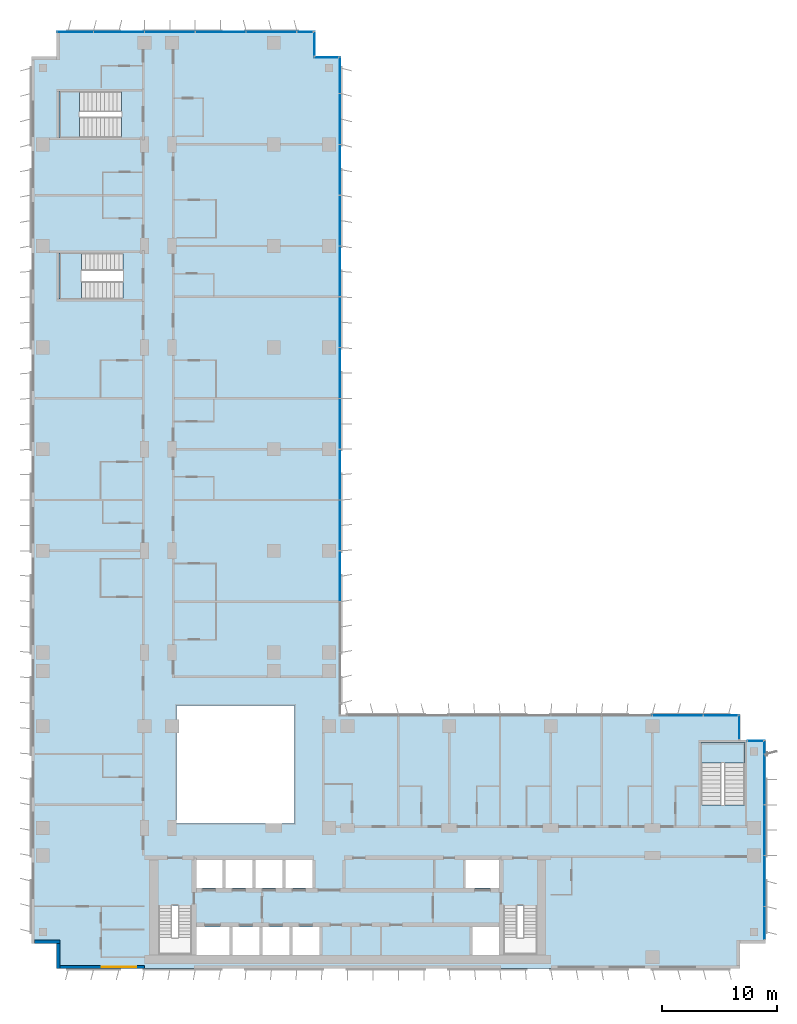
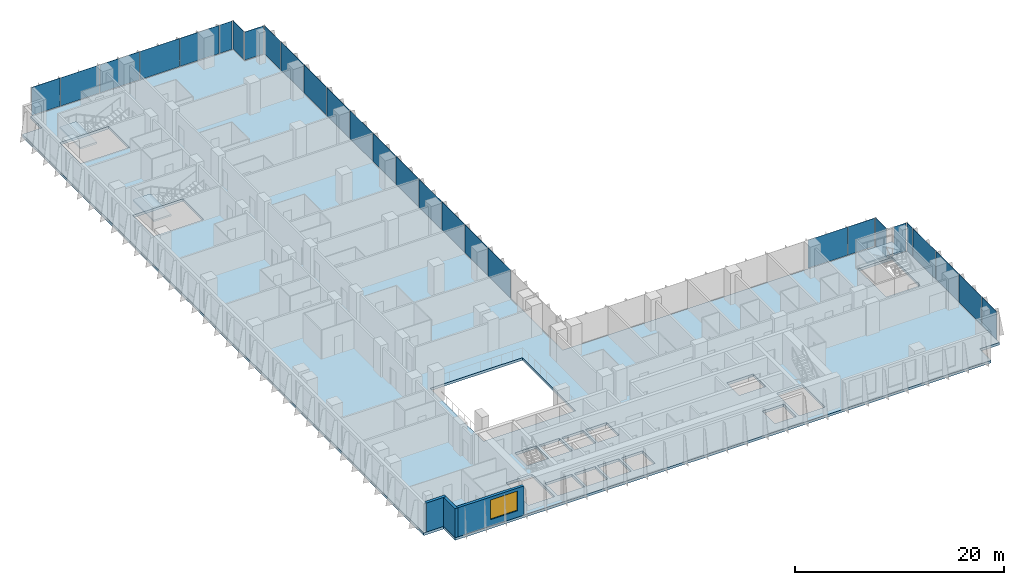
# One storey, part 11 of 22: 28 plates, 4 slabs, 3 walls, 1 window, 1 opening, 11 elements without a shape of their own.
"""IFC4 building model written with IfcOpenShell, lengths in metres."""

from ifc_helpers import new_model, si_unit, direction, frame, frame_2d, origin, origin_2d, place, context, subcontext, project, spatial, polyline, rectangle, outline, extrude, source, transform, mapped, material, layer, layer_set, type_object, element, fill, aggregate, save


model = new_model("IFC4")

# Units and contexts
model_context = context("Model", 3, precision=1e-05, world=origin(), true_north=direction((0.0, 1.0)))
body_context = subcontext(model_context, "Body", "Model", "MODEL_VIEW")
ifc_project = project(units=[si_unit("LENGTHUNIT", "METRE"), si_unit("AREAUNIT", "SQUARE_METRE"), si_unit("VOLUMEUNIT", "CUBIC_METRE"), si_unit("PLANEANGLEUNIT", "RADIAN"), si_unit("MASSUNIT", "GRAM", prefix="KILO")], contexts=[model_context])

# Site, building, storey
site_placement = place(None, origin())
site = spatial("IfcSite", under=ifc_project, at=site_placement, CompositionType="ELEMENT")
building_placement = place(site_placement, origin())
building = spatial("IfcBuilding", under=site, at=building_placement, Name="Kemantara Hotel Tower", CompositionType="ELEMENT")
storey_placement = place(building_placement, frame((0.0, 0.0, 111.10009765625)))
storey = spatial("IfcBuildingStorey", under=building, at=storey_placement, Name="L26", CompositionType="ELEMENT", Elevation=111.10009765625)

# Slab
ifc_material_1 = material(Name="Concrete fc 40 MPa", Category="concrete")
ifc_layer_1 = layer(ifc_material_1, 0.300048828125)
ifc_layer_set_1 = layer_set([ifc_layer_1], Name="Concrete fc 40 MPa")
slab_type_1 = type_object("IfcSlabType", Name="POST-TENSIONED FLAT PLATE 300", PredefinedType="FLOOR", material=ifc_layer_set_1)
slab_1_placement = place(storey_placement, frame((0.0, 0.0, -0.300048828125)))
element("IfcSlab", 1, at=slab_1_placement, inside=storey, type_object=slab_type_1, Name="FLOOR SLAB L26", PredefinedType="FLOOR", context=body_context, shape_type="SweptSolid", body=[
    extrude(outline(polyline([(26.800048828125, 79.0), (24.60009765625, 79.0), (24.60009765625, 81.199951171875), (2.199951171875, 81.199951171875), (2.199951171875, 79.0), (0.0, 79.0), (0.0, 2.199951171875), (2.199951171875, 2.199951171875), (2.199951171875, 0.0), (61.39990234375, 0.0), (61.39990234375, 2.199951171875), (63.60009765625, 2.199951171875), (63.60009765625, 19.800048828125), (61.39990234375, 19.800048828125), (61.39990234375, 22.0), (26.800048828125, 22.0), (26.800048828125, 79.0)]), holes=[polyline([(17.175048828125, 1.199951171875), (14.22509765625, 1.199951171875), (14.22509765625, 3.60009765625), (17.175048828125, 3.60009765625), (17.175048828125, 1.199951171875)]), polyline([(19.77490234375, 1.199951171875), (17.425048828125, 1.199951171875), (17.425048828125, 3.60009765625), (19.77490234375, 3.60009765625), (19.77490234375, 1.199951171875)]), polyline([(11.0, 1.199951171875), (11.0, 5.49951171875), (13.89990234375, 5.49951171875), (13.89990234375, 1.199951171875), (11.0, 1.199951171875)]), polyline([(16.574951171875, 7.0), (14.22509765625, 7.0), (14.22509765625, 9.39990234375), (16.574951171875, 9.39990234375), (16.574951171875, 7.0)]), polyline([(19.175048828125, 7.0), (16.824951171875, 7.0), (16.824951171875, 9.39990234375), (19.175048828125, 9.39990234375), (19.175048828125, 7.0)]), polyline([(22.800048828125, 12.60009765625), (12.60009765625, 12.60009765625), (12.60009765625, 22.800048828125), (22.800048828125, 22.800048828125), (22.800048828125, 12.60009765625)]), polyline([(2.39990234375, 62.0), (7.949462890625, 62.0), (7.949462890625, 58.0), (2.39990234375, 58.0), (2.39990234375, 62.0)]), polyline([(2.39990234375, 76.0), (7.79931640625, 76.0), (7.79931640625, 72.0), (2.39990234375, 72.0), (2.39990234375, 76.0)]), polyline([(22.375, 1.199951171875), (20.02490234375, 1.199951171875), (20.02490234375, 3.60009765625), (22.375, 3.60009765625), (22.375, 1.199951171875)]), polyline([(24.97509765625, 1.199951171875), (22.625, 1.199951171875), (22.625, 3.60009765625), (24.97509765625, 3.60009765625), (24.97509765625, 1.199951171875)]), polyline([(40.574951171875, 1.199951171875), (38.22509765625, 1.199951171875), (38.22509765625, 3.60009765625), (40.574951171875, 3.60009765625), (40.574951171875, 1.199951171875)]), polyline([(40.89990234375, 1.199951171875), (40.89990234375, 5.49951171875), (43.800048828125, 5.49951171875), (43.800048828125, 1.199951171875), (40.89990234375, 1.199951171875)]), polyline([(21.77490234375, 7.0), (19.425048828125, 7.0), (19.425048828125, 9.39990234375), (21.77490234375, 9.39990234375), (21.77490234375, 7.0)]), polyline([(24.375, 7.0), (22.02490234375, 7.0), (22.02490234375, 9.39990234375), (24.375, 9.39990234375), (24.375, 7.0)]), polyline([(40.574951171875, 7.0), (37.625, 7.0), (37.625, 9.39990234375), (40.574951171875, 9.39990234375), (40.574951171875, 7.0)]), polyline([(61.800048828125, 19.60009765625), (61.800048828125, 14.20068359375), (58.0, 14.20068359375), (58.0, 19.60009765625), (61.800048828125, 19.60009765625)])]), origin(), (0.0, 0.0, 1.0), 0.300048828125),
])

# Stair, slab
stair_type_1 = type_object("IfcStairType", Name="Stair 1800 wide 22 risers of 168 x 360 mm", PredefinedType="HALF_TURN_STAIR", material=ifc_material_1)
stair_1_placement = place(storey_placement, origin())
stair_1 = element("IfcStair", 2, at=stair_1_placement, inside=storey, type_object=stair_type_1, Name="L26 Exit stair ST3", PredefinedType="HALF_TURN_STAIR")
ifc_layer_2 = layer(ifc_material_1, 0.199951171875)
ifc_layer_set_2 = layer_set([ifc_layer_2], Name="Concrete fc 40 MPa")
slab_type_2 = type_object("IfcSlabType", Name="Stair landing 200 mm", PredefinedType="LANDING", material=ifc_layer_set_2)
slab_2_placement = place(storey_placement, frame((0.0, 0.0, 1.64990234375)))
slab_2 = element("IfcSlab", 3, at=slab_2_placement, type_object=slab_type_2, Name="ST3 landing 1", PredefinedType="LANDING", context=body_context, shape_type="SweptSolid", body=[
    extrude(outline(polyline([(61.800048828125, 17.800048828125), (61.800048828125, 19.60009765625), (58.0, 19.60009765625), (58.0, 17.800048828125), (61.800048828125, 17.800048828125)])), origin(), (0.0, 0.0, 1.0), 0.199951171875),
])
aggregate(stair_1, [slab_2])

stair_type_2 = type_object("IfcStairType", Name="Stair 1550 wide 22 risers of 168 x 360 mm", PredefinedType="HALF_TURN_STAIR", material=ifc_material_1)
stair_2_placement = place(storey_placement, origin())
stair_2 = element("IfcStair", 4, at=stair_2_placement, inside=storey, type_object=stair_type_2, Name="L26 Exit stair ST4", PredefinedType="HALF_TURN_STAIR")
slab_3_placement = place(storey_placement, frame((0.0, 0.0, 1.64990234375)))
slab_3 = element("IfcSlab", 5, at=slab_3_placement, type_object=slab_type_2, Name="ST4 landing 1", PredefinedType="LANDING", context=body_context, shape_type="SweptSolid", body=[
    extrude(outline(polyline([(4.35009765625, 62.0), (2.39990234375, 62.0), (2.39990234375, 58.0), (4.35009765625, 58.0), (4.35009765625, 62.0)])), origin(), (0.0, 0.0, 1.0), 0.199951171875),
])
aggregate(stair_2, [slab_3])

stair_3_placement = place(storey_placement, origin())
stair_3 = element("IfcStair", 6, at=stair_3_placement, inside=storey, type_object=stair_type_1, Name="L26 Exit stair ST6", PredefinedType="HALF_TURN_STAIR")
slab_4_placement = place(storey_placement, frame((0.0, 0.0, 1.64990234375)))
slab_4 = element("IfcSlab", 7, at=slab_4_placement, type_object=slab_type_2, Name="ST6 landing 1", PredefinedType="LANDING", context=body_context, shape_type="SweptSolid", body=[
    extrude(outline(polyline([(4.199951171875, 76.0), (2.39990234375, 76.0), (2.39990234375, 72.0), (4.199951171875, 72.0), (4.199951171875, 76.0)])), origin(), (0.0, 0.0, 1.0), 0.199951171875),
])
aggregate(stair_3, [slab_4])

# Curtain wall, plate
ifc_material_2 = material(Name="Low-E tinted double insulated glass 36 mm", Category="glass")
curtain_wall_type = type_object("IfcCurtainWallType", Name="TOWER CURTAIN WALL, FRONT FACES", PredefinedType="USERDEFINED", material=ifc_material_2)
curtain_wall_1_placement = place(storey_placement, origin())
curtain_wall_1 = element("IfcCurtainWall", 8, at=curtain_wall_1_placement, inside=storey, type_object=curtain_wall_type, Name="CW4 L26 T2-R10-1", ObjectType="TOWER CURTAIN WALL, FRONT FACES", PredefinedType="USERDEFINED")
ifc_layer_3 = layer(ifc_material_2, 0.035888671875)
ifc_layer_set_3 = layer_set([ifc_layer_3], Name="Low-E tinted double insulated glass 36 mm")
plate_type = type_object("IfcPlateType", Name="TOWER CURTAIN WALL, FRONT FACES PANEL", PredefinedType="CURTAIN_PANEL", material=ifc_layer_set_3)
shared_shape_1 = source(origin(), body_context, "Body", "SweptSolid", [
    extrude(rectangle(XDim=2.81005859375, YDim=0.035888671875, at=origin_2d()), origin(), (0.0, 0.0, 1.0), 3.280029296875),
])
plate_1_placement = place(storey_placement, frame((63.52490234375, 3.965087890625, 0.1201171875), z_axis=(0.0, 0.0, 1.0), x_axis=(0.0, 1.0, 0.0)))
plate_1 = element("IfcPlate", 9, at=plate_1_placement, type_object=plate_type, Name="CW4 glass panel T2-R10-1.1", PredefinedType="CURTAIN_PANEL", context=body_context, shape_type="MappedRepresentation", body=[
    mapped(shared_shape_1, transform((0.0, 0.0, 0.0))),
])

# Curtain wall, plates
curtain_wall_2_placement = place(storey_placement, origin())
curtain_wall_2 = element("IfcCurtainWall", 10, at=curtain_wall_2_placement, inside=storey, type_object=curtain_wall_type, Name="CW4 L26 T2-R01-1", ObjectType="TOWER CURTAIN WALL, FRONT FACES", PredefinedType="USERDEFINED")
shared_shape_2 = source(origin(), body_context, "Body", "SweptSolid", [
    extrude(rectangle(XDim=4.340087890625, YDim=0.035888671875, at=origin_2d()), origin(), (0.0, 0.0, 1.0), 3.280029296875),
])
plate_2_placement = place(storey_placement, frame((20.800048828125, 81.125, 0.1201171875), z_axis=(0.0, 0.0, 1.0), x_axis=(-1.0, 0.0, 0.0)))
plate_2 = element("IfcPlate", 11, at=plate_2_placement, type_object=plate_type, Name="CW4 glass panel T2-R01-1.2", PredefinedType="CURTAIN_PANEL", context=body_context, shape_type="MappedRepresentation", body=[
    mapped(shared_shape_2, transform((0.0, 0.0, 0.0))),
])
plate_3_placement = place(storey_placement, frame((16.39990234375, 81.125, 0.1201171875), z_axis=(0.0, 0.0, 1.0), x_axis=(-1.0, 0.0, 0.0)))
plate_3 = element("IfcPlate", 12, at=plate_3_placement, type_object=plate_type, Name="CW4 glass panel T2-R01-1.3", PredefinedType="CURTAIN_PANEL", context=body_context, shape_type="MappedRepresentation", body=[
    mapped(shared_shape_2, transform((0.0, 0.0, 0.0))),
])
plate_4_placement = place(storey_placement, frame((12.0, 81.125, 0.1201171875), z_axis=(0.0, 0.0, 1.0), x_axis=(-1.0, 0.0, 0.0)))
plate_4 = element("IfcPlate", 13, at=plate_4_placement, type_object=plate_type, Name="CW4 glass panel T2-R01-1.4", PredefinedType="CURTAIN_PANEL", context=body_context, shape_type="MappedRepresentation", body=[
    mapped(shared_shape_2, transform((0.0, 0.0, 0.0))),
])
plate_5_placement = place(storey_placement, frame((7.60009765625, 81.125, 0.1201171875), z_axis=(0.0, 0.0, 1.0), x_axis=(-1.0, 0.0, 0.0)))
plate_5 = element("IfcPlate", 14, at=plate_5_placement, type_object=plate_type, Name="CW4 glass panel T2-R01-1.5", PredefinedType="CURTAIN_PANEL", context=body_context, shape_type="MappedRepresentation", body=[
    mapped(shared_shape_2, transform((0.0, 0.0, 0.0))),
])

# Plate
plate_6_placement = place(storey_placement, frame((63.52490234375, 7.60009765625, 0.1201171875), z_axis=(0.0, 0.0, 1.0), x_axis=(0.0, 1.0, 0.0)))
plate_6 = element("IfcPlate", 15, at=plate_6_placement, type_object=plate_type, Name="CW4 glass panel T2-R10-1.2", PredefinedType="CURTAIN_PANEL", context=body_context, shape_type="MappedRepresentation", body=[
    mapped(shared_shape_2, transform((0.0, 0.0, 0.0))),
])

plate_7_placement = place(storey_placement, frame((63.52490234375, 12.0, 0.1201171875), z_axis=(0.0, 0.0, 1.0), x_axis=(0.0, 1.0, 0.0)))
plate_7 = element("IfcPlate", 16, at=plate_7_placement, type_object=plate_type, Name="CW4 glass panel T2-R10-1.3", PredefinedType="CURTAIN_PANEL", context=body_context, shape_type="MappedRepresentation", body=[
    mapped(shared_shape_2, transform((0.0, 0.0, 0.0))),
])

plate_8_placement = place(storey_placement, frame((63.52490234375, 16.39990234375, 0.1201171875), z_axis=(0.0, 0.0, 1.0), x_axis=(0.0, 1.0, 0.0)))
plate_8 = element("IfcPlate", 17, at=plate_8_placement, type_object=plate_type, Name="CW4 glass panel T2-R10-1.4", PredefinedType="CURTAIN_PANEL", context=body_context, shape_type="MappedRepresentation", body=[
    mapped(shared_shape_2, transform((0.0, 0.0, 0.0))),
])

# Curtain wall, plate
curtain_wall_3_placement = place(storey_placement, origin())
curtain_wall_3 = element("IfcCurtainWall", 18, at=curtain_wall_3_placement, inside=storey, type_object=curtain_wall_type, Name="CW4 L26 T2-R13-1", ObjectType="TOWER CURTAIN WALL, FRONT FACES", PredefinedType="USERDEFINED")
plate_9_placement = place(storey_placement, frame((56.0, 21.925048828125, 0.1201171875), z_axis=(0.0, 0.0, 1.0), x_axis=(-1.0, 0.0, 0.0)))
plate_9 = element("IfcPlate", 19, at=plate_9_placement, type_object=plate_type, Name="CW4 glass panel T2-R13-1.2", PredefinedType="CURTAIN_PANEL", context=body_context, shape_type="MappedRepresentation", body=[
    mapped(shared_shape_2, transform((0.0, 0.0, 0.0))),
])

# Curtain wall, plates
curtain_wall_4_placement = place(storey_placement, origin())
curtain_wall_4 = element("IfcCurtainWall", 20, at=curtain_wall_4_placement, inside=storey, type_object=curtain_wall_type, Name="CW4 L26 T2-R14-1", ObjectType="TOWER CURTAIN WALL, FRONT FACES", PredefinedType="USERDEFINED")
plate_10_placement = place(storey_placement, frame((26.72509765625, 34.0, 0.1201171875), z_axis=(0.0, 0.0, 1.0), x_axis=(0.0, 1.0, 0.0)))
plate_10 = element("IfcPlate", 21, at=plate_10_placement, type_object=plate_type, Name="CW4 glass panel T2-R14-1.4", PredefinedType="CURTAIN_PANEL", context=body_context, shape_type="MappedRepresentation", body=[
    mapped(shared_shape_2, transform((0.0, 0.0, 0.0))),
])
plate_11_placement = place(storey_placement, frame((26.72509765625, 38.39990234375, 0.1201171875), z_axis=(0.0, 0.0, 1.0), x_axis=(0.0, 1.0, 0.0)))
plate_11 = element("IfcPlate", 22, at=plate_11_placement, type_object=plate_type, Name="CW4 glass panel T2-R14-1.5", PredefinedType="CURTAIN_PANEL", context=body_context, shape_type="MappedRepresentation", body=[
    mapped(shared_shape_2, transform((0.0, 0.0, 0.0))),
])
plate_12_placement = place(storey_placement, frame((26.72509765625, 42.800048828125, 0.1201171875), z_axis=(0.0, 0.0, 1.0), x_axis=(0.0, 1.0, 0.0)))
plate_12 = element("IfcPlate", 23, at=plate_12_placement, type_object=plate_type, Name="CW4 glass panel T2-R14-1.6", PredefinedType="CURTAIN_PANEL", context=body_context, shape_type="MappedRepresentation", body=[
    mapped(shared_shape_2, transform((0.0, 0.0, 0.0))),
])
plate_13_placement = place(storey_placement, frame((26.72509765625, 47.199951171875, 0.1201171875), z_axis=(0.0, 0.0, 1.0), x_axis=(0.0, 1.0, 0.0)))
plate_13 = element("IfcPlate", 24, at=plate_13_placement, type_object=plate_type, Name="CW4 glass panel T2-R14-1.7", PredefinedType="CURTAIN_PANEL", context=body_context, shape_type="MappedRepresentation", body=[
    mapped(shared_shape_2, transform((0.0, 0.0, 0.0))),
])
plate_14_placement = place(storey_placement, frame((26.72509765625, 51.60009765625, 0.1201171875), z_axis=(0.0, 0.0, 1.0), x_axis=(0.0, 1.0, 0.0)))
plate_14 = element("IfcPlate", 25, at=plate_14_placement, type_object=plate_type, Name="CW4 glass panel T2-R14-1.8", PredefinedType="CURTAIN_PANEL", context=body_context, shape_type="MappedRepresentation", body=[
    mapped(shared_shape_2, transform((0.0, 0.0, 0.0))),
])
plate_15_placement = place(storey_placement, frame((26.72509765625, 56.0, 0.1201171875), z_axis=(0.0, 0.0, 1.0), x_axis=(0.0, 1.0, 0.0)))
plate_15 = element("IfcPlate", 26, at=plate_15_placement, type_object=plate_type, Name="CW4 glass panel T2-R14-1.9", PredefinedType="CURTAIN_PANEL", context=body_context, shape_type="MappedRepresentation", body=[
    mapped(shared_shape_2, transform((0.0, 0.0, 0.0))),
])
plate_16_placement = place(storey_placement, frame((26.72509765625, 60.39990234375, 0.1201171875), z_axis=(0.0, 0.0, 1.0), x_axis=(0.0, 1.0, 0.0)))
plate_16 = element("IfcPlate", 27, at=plate_16_placement, type_object=plate_type, Name="CW4 glass panel T2-R14-1.10", PredefinedType="CURTAIN_PANEL", context=body_context, shape_type="MappedRepresentation", body=[
    mapped(shared_shape_2, transform((0.0, 0.0, 0.0))),
])
plate_17_placement = place(storey_placement, frame((26.72509765625, 64.800048828125, 0.1201171875), z_axis=(0.0, 0.0, 1.0), x_axis=(0.0, 1.0, 0.0)))
plate_17 = element("IfcPlate", 28, at=plate_17_placement, type_object=plate_type, Name="CW4 glass panel T2-R14-1.11", PredefinedType="CURTAIN_PANEL", context=body_context, shape_type="MappedRepresentation", body=[
    mapped(shared_shape_2, transform((0.0, 0.0, 0.0))),
])
plate_18_placement = place(storey_placement, frame((26.72509765625, 69.199951171875, 0.1201171875), z_axis=(0.0, 0.0, 1.0), x_axis=(0.0, 1.0, 0.0)))
plate_18 = element("IfcPlate", 29, at=plate_18_placement, type_object=plate_type, Name="CW4 glass panel T2-R14-1.12", PredefinedType="CURTAIN_PANEL", context=body_context, shape_type="MappedRepresentation", body=[
    mapped(shared_shape_2, transform((0.0, 0.0, 0.0))),
])
plate_19_placement = place(storey_placement, frame((26.72509765625, 73.60009765625, 0.1201171875), z_axis=(0.0, 0.0, 1.0), x_axis=(0.0, 1.0, 0.0)))
plate_19 = element("IfcPlate", 30, at=plate_19_placement, type_object=plate_type, Name="CW4 glass panel T2-R14-1.13", PredefinedType="CURTAIN_PANEL", context=body_context, shape_type="MappedRepresentation", body=[
    mapped(shared_shape_2, transform((0.0, 0.0, 0.0))),
])

# Plate
shared_shape_3 = source(origin(), body_context, "Body", "SweptSolid", [
    extrude(rectangle(XDim=1.360107421875, YDim=0.035888671875, at=origin_2d()), origin(), (0.0, 0.0, 1.0), 3.280029296875),
])
plate_20_placement = place(storey_placement, frame((23.7099609375, 81.125, 0.1201171875), z_axis=(0.0, 0.0, 1.0), x_axis=(-1.0, 0.0, 0.0)))
plate_20 = element("IfcPlate", 31, at=plate_20_placement, type_object=plate_type, Name="CW4 glass panel T2-R01-1.1", PredefinedType="CURTAIN_PANEL", context=body_context, shape_type="MappedRepresentation", body=[
    mapped(shared_shape_3, transform((0.0, 0.0, 0.0))),
])

shared_shape_4 = source(origin(), body_context, "Body", "SweptSolid", [
    extrude(rectangle(XDim=3.110107421875, YDim=0.035888671875, at=origin_2d()), origin(), (0.0, 0.0, 1.0), 3.280029296875),
])
plate_21_placement = place(storey_placement, frame((3.81494140625, 81.125, 0.1201171875), z_axis=(0.0, 0.0, 1.0), x_axis=(-1.0, 0.0, 0.0)))
plate_21 = element("IfcPlate", 32, at=plate_21_placement, type_object=plate_type, Name="CW4 glass panel T2-R01-1.6", PredefinedType="CURTAIN_PANEL", context=body_context, shape_type="MappedRepresentation", body=[
    mapped(shared_shape_4, transform((0.0, 0.0, 0.0))),
])

aggregate(curtain_wall_2, [plate_20, plate_2, plate_3, plate_4, plate_5, plate_21])

plate_22_placement = place(storey_placement, frame((26.72509765625, 77.385009765625, 0.1201171875), z_axis=(0.0, 0.0, 1.0), x_axis=(0.0, 1.0, 0.0)))
plate_22 = element("IfcPlate", 33, at=plate_22_placement, type_object=plate_type, Name="CW4 glass panel T2-R14-1.14", PredefinedType="CURTAIN_PANEL", context=body_context, shape_type="MappedRepresentation", body=[
    mapped(shared_shape_4, transform((0.0, 0.0, 0.0))),
])

aggregate(curtain_wall_4, [plate_10, plate_11, plate_12, plate_13, plate_14, plate_15, plate_16, plate_17, plate_18, plate_19, plate_22])

# Curtain wall, plate
curtain_wall_5_placement = place(storey_placement, origin())
curtain_wall_5 = element("IfcCurtainWall", 34, at=curtain_wall_5_placement, inside=storey, type_object=curtain_wall_type, Name="CW4 L26 T2-R00-1", ObjectType="TOWER CURTAIN WALL, FRONT FACES", PredefinedType="USERDEFINED")
shared_shape_5 = source(origin(), body_context, "Body", "SweptSolid", [
    extrude(rectangle(XDim=2.080078125, YDim=0.035888671875, at=origin_2d()), origin(), (0.0, 0.0, 1.0), 3.280029296875),
])
plate_23_placement = place(storey_placement, frame((24.52490234375, 80.10009765625, 0.1201171875), z_axis=(0.0, 0.0, 1.0), x_axis=(0.0, 1.0, 0.0)))
plate_23 = element("IfcPlate", 35, at=plate_23_placement, type_object=plate_type, Name="CW4 glass panel T2-R00-1.1", PredefinedType="CURTAIN_PANEL", context=body_context, shape_type="MappedRepresentation", body=[
    mapped(shared_shape_5, transform((0.0, 0.0, 0.0))),
])
aggregate(curtain_wall_5, [plate_23])

curtain_wall_6_placement = place(storey_placement, origin())
curtain_wall_6 = element("IfcCurtainWall", 36, at=curtain_wall_6_placement, inside=storey, type_object=curtain_wall_type, Name="CW4 L26 T2-R12-1", ObjectType="TOWER CURTAIN WALL, FRONT FACES", PredefinedType="USERDEFINED")
plate_24_placement = place(storey_placement, frame((61.324951171875, 20.89990234375, 0.1201171875), z_axis=(0.0, 0.0, 1.0), x_axis=(0.0, 1.0, 0.0)))
plate_24 = element("IfcPlate", 37, at=plate_24_placement, type_object=plate_type, Name="CW4 glass panel T2-R12-1.1", PredefinedType="CURTAIN_PANEL", context=body_context, shape_type="MappedRepresentation", body=[
    mapped(shared_shape_5, transform((0.0, 0.0, 0.0))),
])
aggregate(curtain_wall_6, [plate_24])

curtain_wall_7_placement = place(storey_placement, origin())
curtain_wall_7 = element("IfcCurtainWall", 38, at=curtain_wall_7_placement, inside=storey, type_object=curtain_wall_type, Name="CW4 L26 T2-R15-1", ObjectType="TOWER CURTAIN WALL, FRONT FACES", PredefinedType="USERDEFINED")
plate_25_placement = place(storey_placement, frame((25.550048828125, 78.925048828125, 0.1201171875), z_axis=(0.0, 0.0, 1.0), x_axis=(-1.0, 0.0, 0.0)))
plate_25 = element("IfcPlate", 39, at=plate_25_placement, type_object=plate_type, Name="CW4 glass panel T2-R15-1.1", PredefinedType="CURTAIN_PANEL", context=body_context, shape_type="MappedRepresentation", body=[
    mapped(shared_shape_5, transform((0.0, 0.0, 0.0))),
])
aggregate(curtain_wall_7, [plate_25])

# Plate
shared_shape_6 = source(origin(), body_context, "Body", "SweptSolid", [
    extrude(rectangle(XDim=2.9599609375, YDim=0.035888671875, at=origin_2d()), origin(), (0.0, 0.0, 1.0), 3.280029296875),
])
plate_26_placement = place(storey_placement, frame((59.7099609375, 21.925048828125, 0.1201171875), z_axis=(0.0, 0.0, 1.0), x_axis=(-1.0, 0.0, 0.0)))
plate_26 = element("IfcPlate", 40, at=plate_26_placement, type_object=plate_type, Name="CW4 glass panel T2-R13-1.1", PredefinedType="CURTAIN_PANEL", context=body_context, shape_type="MappedRepresentation", body=[
    mapped(shared_shape_6, transform((0.0, 0.0, 0.0))),
])

aggregate(curtain_wall_3, [plate_26, plate_9])

shared_shape_7 = source(origin(), body_context, "Body", "SweptSolid", [
    extrude(rectangle(XDim=1.110107421875, YDim=0.035888671875, at=origin_2d()), origin(), (0.0, 0.0, 1.0), 3.280029296875),
])
plate_27_placement = place(storey_placement, frame((63.52490234375, 19.18505859375, 0.1201171875), z_axis=(0.0, 0.0, 1.0), x_axis=(0.0, 1.0, 0.0)))
plate_27 = element("IfcPlate", 41, at=plate_27_placement, type_object=plate_type, Name="CW4 glass panel T2-R10-1.5", PredefinedType="CURTAIN_PANEL", context=body_context, shape_type="MappedRepresentation", body=[
    mapped(shared_shape_7, transform((0.0, 0.0, 0.0))),
])

aggregate(curtain_wall_1, [plate_1, plate_6, plate_7, plate_8, plate_27])

# Curtain wall, plate
curtain_wall_8_placement = place(storey_placement, origin())
curtain_wall_8 = element("IfcCurtainWall", 42, at=curtain_wall_8_placement, inside=storey, type_object=curtain_wall_type, Name="CW4 L26 T2-R11-1", ObjectType="TOWER CURTAIN WALL, FRONT FACES", PredefinedType="USERDEFINED")
shared_shape_8 = source(origin(), body_context, "Body", "SweptSolid", [
    extrude(rectangle(XDim=1.330078125, YDim=0.035888671875, at=origin_2d()), origin(), (0.0, 0.0, 1.0), 3.280029296875),
])
plate_28_placement = place(storey_placement, frame((62.72509765625, 19.72509765625, 0.1201171875), z_axis=(0.0, 0.0, 1.0), x_axis=(-1.0, 0.0, 0.0)))
plate_28 = element("IfcPlate", 43, at=plate_28_placement, type_object=plate_type, Name="CW4 glass panel T2-R11-1.1", PredefinedType="CURTAIN_PANEL", context=body_context, shape_type="MappedRepresentation", body=[
    mapped(shared_shape_8, transform((0.0, 0.0, 0.0))),
])
aggregate(curtain_wall_8, [plate_28])

# Walls
ifc_material_3 = material(Name="Bronze anodised aluminium cladding on insulated steel stud wall", Category="steel")
ifc_layer_4 = layer(ifc_material_3, 0.300048828125)
ifc_layer_set_4 = layer_set([ifc_layer_4], Name="Bronze anodised aluminium cladding on insulated steel stud wall")
wall_type = type_object("IfcWallType", Name="BRONZE METAL-CLAD EXTERNAL WALL 300", PredefinedType="STANDARD", material=ifc_layer_set_4)
for number, where, z_axis, x_axis, name in (
    (44, (0.300048828125, 2.35009765625, 0.0), (0.0, 0.0, 1.0), (1.0, 0.0, 0.0), "EXTERNAL WALL L26 T2-R05"),
    (45, (2.35009765625, 2.199951171875, 0.0), (0.0, 0.0, 1.0), (0.0, -1.0, 0.0), "EXTERNAL WALL L26 T2-R06"),
):
    element("IfcWall", number, at=place(storey_placement, frame(where, z_axis=z_axis, x_axis=x_axis)), inside=storey, type_object=wall_type, Name=name, PredefinedType="STANDARD", context=body_context, shape_type="SweptSolid", body=[
        extrude(rectangle(XDim=2.199951171875, YDim=0.300048828125, at=frame_2d((1.10009765625, 0.0))), origin(), (0.0, 0.0, 1.0), 3.39990234375),
    ])

# Wall, opening, window
wall_placement = place(storey_placement, frame((2.5, 0.14990234375, 0.0), z_axis=(0.0, 0.0, 1.0), x_axis=(1.0, 0.0, 0.0)))
wall = element("IfcWall", 46, at=wall_placement, inside=storey, type_object=wall_type, Name="EXTERNAL WALL L26 T2-R07", PredefinedType="STANDARD", context=body_context, shape_type="SweptSolid", body=[
    extrude(rectangle(XDim=7.300048828125, YDim=0.300048828125, at=frame_2d((3.64990234375, 0.0))), origin(), (0.0, 0.0, 1.0), 3.39990234375),
])
opening_placement = place(wall_placement, frame((3.60009765625, 0.0, 0.75)))
opening = element("IfcOpeningElement", 47, at=opening_placement, cuts=wall, Name="Opening W1", PredefinedType="OPENING", context=body_context, shape_type="SweptSolid", body=[
    extrude(rectangle(XDim=3.0, YDim=2.300048828125, at=frame_2d((1.5, 1.14990234375))), frame((0.0, 0.159912109375, 0.0), z_axis=(0.0, -1.0, 0.0), x_axis=(1.0, 0.0, 0.0)), (0.0, 0.0, 1.0), 0.320068359375),
])
ifc_material_4 = material(Name="Low-E tinted double insulated glass in bronze anodised aluminium frame", Category="aluminium")
window_type = type_object("IfcWindowType", Name="CHICAGO WINDOW, TRIPLE PANEL 3000x2300", PartitioningType="TRIPLE_PANEL_VERTICAL", PredefinedType="WINDOW", material=ifc_material_4)
window_placement = place(opening_placement, origin())
window = element("IfcWindow", 48, at=window_placement, inside=storey, type_object=window_type, Name="CHICAGO WINDOW L26 T2-R07-54", OverallHeight=2.300048828125, OverallWidth=3.0, PartitioningType="SINGLE_PANEL", PredefinedType="WINDOW", context=body_context, shape_type="SweptSolid", body=[
    extrude(rectangle(XDim=3.0, YDim=2.300048828125, at=frame_2d((1.5, 1.14990234375))), frame((0.0, 0.030029296875, 0.0), z_axis=(0.0, -1.0, 0.0), x_axis=(1.0, 0.0, 0.0)), (0.0, 0.0, 1.0), 0.06005859375),
])
fill(opening, window)

save(model, "model.ifc")
